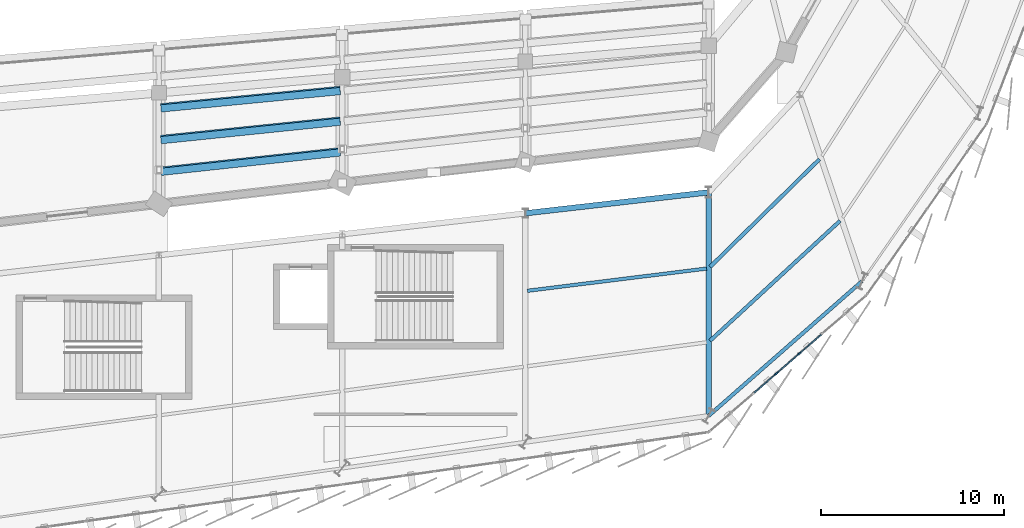
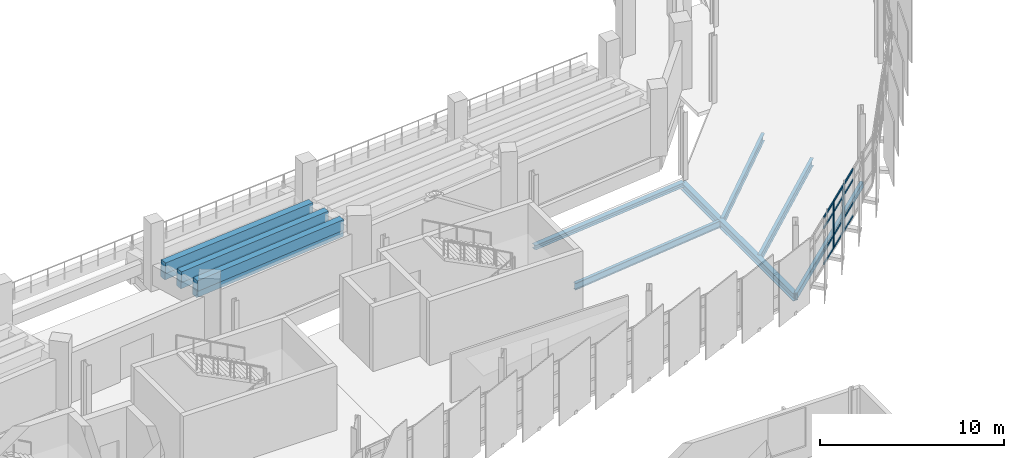
# One storey, part 59 of 120: 14 members, 12 beams, 1 element without a shape of its own.
"""IFC4 building model written with IfcOpenShell, lengths in metres."""

from ifc_helpers import new_model, si_unit, direction, frame, origin, origin_2d, place, context, subcontext, project, spatial, rectangle, hollow_rectangle, i_section, extrude, material, layer, layer_set, material_profile, profile_set, type_object, element, aggregate, save


model = new_model("IFC4")

# Units and contexts
model_context = context("Model", 3, precision=1e-05, world=origin(), true_north=direction((0.0, 1.0)))
body_context = subcontext(model_context, "Body", "Model", "MODEL_VIEW")
ifc_project = project(units=[si_unit("LENGTHUNIT", "METRE"), si_unit("AREAUNIT", "SQUARE_METRE"), si_unit("VOLUMEUNIT", "CUBIC_METRE"), si_unit("PLANEANGLEUNIT", "RADIAN"), si_unit("MASSUNIT", "GRAM", prefix="KILO")], contexts=[model_context])

# Site, building, storey
site_placement = place(None, origin())
site = spatial("IfcSite", under=ifc_project, at=site_placement, CompositionType="ELEMENT")
building_placement = place(site_placement, origin())
building = spatial("IfcBuilding", under=site, at=building_placement, Name="Sohan Crest Arena", CompositionType="ELEMENT")
storey_placement = place(building_placement, frame((0.0, 0.0, 13.5)))
storey = spatial("IfcBuildingStorey", under=building, at=storey_placement, Name="L03", CompositionType="ELEMENT", Elevation=13.5)

# Curtain wall, members
ifc_material_1 = material(Name="Thermally broken anodised aluminium", Category="aluminium")
ifc_layer = layer(ifc_material_1, 0.199951171875, Name="Thermally broken anodised aluminium")
ifc_layer_set = layer_set([ifc_layer], Name="Thermally broken anodised aluminium")
curtain_wall_type = type_object("IfcCurtainWallType", Name="ARC-CW02", PredefinedType="NOTDEFINED", material=ifc_layer_set)
curtain_wall_placement = place(storey_placement, origin())
curtain_wall = element("IfcCurtainWall", 1, at=curtain_wall_placement, inside=storey, type_object=curtain_wall_type, Name="Unitised curtain wall CW-097", PredefinedType="NOTDEFINED")
ifc_material_profile_1 = material_profile(ifc_material_1, rectangle(XDim=0.074951171875, YDim=0.219970703125, at=origin_2d()), Name="ALU-MULL 75x220")
ifc_profile_set_1 = profile_set([ifc_material_profile_1], Name="Thermally broken anodised aluminium")
member_type_1 = type_object("IfcMemberType", Name="ARC-CW-ML04", PredefinedType="MULLION", material=ifc_profile_set_1)
member_1_placement = place(storey_placement, frame((171.701904296875, 42.314208984375, 0.0), z_axis=(0.0, 0.0, 1.0), x_axis=(-0.655615836736, 0.755094613026, 0.0)))
member_1 = element("IfcMember", 2, at=member_1_placement, type_object=member_type_1, Name="CW-097 mullion 4", PredefinedType="MULLION", context=body_context, shape_type="SweptSolid", body=[
    extrude(rectangle(XDim=0.074951171875, YDim=0.219970703125, at=origin_2d()), origin(), (0.0, 0.0, 1.0), 3.1201171875),
])
member_2_placement = place(storey_placement, frame((172.93603515625, 43.3857421875, 0.0), z_axis=(0.0, 0.0, 1.0), x_axis=(-0.655615836736, 0.755094613026, 0.0)))
member_2 = element("IfcMember", 3, at=member_2_placement, type_object=member_type_1, Name="CW-097 mullion 5", PredefinedType="MULLION", context=body_context, shape_type="SweptSolid", body=[
    extrude(rectangle(XDim=0.074951171875, YDim=0.219970703125, at=origin_2d()), origin(), (0.0, 0.0, 1.0), 3.1201171875),
])
ifc_material_profile_2 = material_profile(ifc_material_1, rectangle(XDim=0.06494140625, YDim=0.139892578125, at=origin_2d()), Name="ALU-TRAN 65x140")
ifc_profile_set_2 = profile_set([ifc_material_profile_2], Name="Thermally broken anodised aluminium")
member_type_2 = type_object("IfcMemberType", Name="ARC-CW-TR02", PredefinedType="USERDEFINED", material=ifc_profile_set_2)
member_3_placement = place(storey_placement, frame((170.496337890625, 41.267333984375, 0.032470703125), z_axis=(0.754996400062, 0.655728934769, 0.0), x_axis=(-0.655728934769, 0.754996400062, 0.0)))
member_3 = element("IfcMember", 4, at=member_3_placement, type_object=member_type_2, Name="CW-097 transom 3.1", ObjectType="TRANSOM", PredefinedType="USERDEFINED", context=body_context, shape_type="SweptSolid", body=[
    extrude(rectangle(XDim=0.06494140625, YDim=0.139892578125, at=origin_2d()), origin(), (0.0, 0.0, 1.0), 1.559326171875),
])
member_4_placement = place(storey_placement, frame((170.496337890625, 41.267333984375, 0.89990234375), z_axis=(0.754996400062, 0.655728934769, 0.0), x_axis=(-0.655728934769, 0.754996400062, 0.0)))
member_4 = element("IfcMember", 5, at=member_4_placement, type_object=member_type_2, Name="CW-097 transom 3.2", ObjectType="TRANSOM", PredefinedType="USERDEFINED", context=body_context, shape_type="SweptSolid", body=[
    extrude(rectangle(XDim=0.06494140625, YDim=0.139892578125, at=origin_2d()), origin(), (0.0, 0.0, 1.0), 1.559326171875),
])
member_5_placement = place(storey_placement, frame((170.496337890625, 41.267333984375, 2.419921875), z_axis=(0.754996400062, 0.655728934769, 0.0), x_axis=(-0.655728934769, 0.754996400062, 0.0)))
member_5 = element("IfcMember", 6, at=member_5_placement, type_object=member_type_2, Name="CW-097 transom 3.3", ObjectType="TRANSOM", PredefinedType="USERDEFINED", context=body_context, shape_type="SweptSolid", body=[
    extrude(rectangle(XDim=0.06494140625, YDim=0.139892578125, at=origin_2d()), origin(), (0.0, 0.0, 1.0), 1.559326171875),
])
member_6_placement = place(storey_placement, frame((170.496337890625, 41.267333984375, 3.08740234375), z_axis=(0.754996400062, 0.655728934769, 0.0), x_axis=(-0.655728934769, 0.754996400062, 0.0)))
member_6 = element("IfcMember", 7, at=member_6_placement, type_object=member_type_2, Name="CW-097 transom 3.4", ObjectType="TRANSOM", PredefinedType="USERDEFINED", context=body_context, shape_type="SweptSolid", body=[
    extrude(rectangle(XDim=0.06494140625, YDim=0.139892578125, at=origin_2d()), origin(), (0.0, 0.0, 1.0), 1.559326171875),
])
member_7_placement = place(storey_placement, frame((171.730224609375, 42.3388671875, 0.032470703125), z_axis=(0.755141218047, 0.655562156326, 0.0), x_axis=(-0.655562156326, 0.755141218047, 0.0)))
member_7 = element("IfcMember", 8, at=member_7_placement, type_object=member_type_2, Name="CW-097 transom 4.1", ObjectType="TRANSOM", PredefinedType="USERDEFINED", context=body_context, shape_type="SweptSolid", body=[
    extrude(rectangle(XDim=0.06494140625, YDim=0.139892578125, at=origin_2d()), origin(), (0.0, 0.0, 1.0), 1.559326171875),
])
member_8_placement = place(storey_placement, frame((171.730224609375, 42.3388671875, 0.89990234375), z_axis=(0.755141218047, 0.655562156326, 0.0), x_axis=(-0.655562156326, 0.755141218047, 0.0)))
member_8 = element("IfcMember", 9, at=member_8_placement, type_object=member_type_2, Name="CW-097 transom 4.2", ObjectType="TRANSOM", PredefinedType="USERDEFINED", context=body_context, shape_type="SweptSolid", body=[
    extrude(rectangle(XDim=0.06494140625, YDim=0.139892578125, at=origin_2d()), origin(), (0.0, 0.0, 1.0), 1.559326171875),
])
member_9_placement = place(storey_placement, frame((171.730224609375, 42.3388671875, 2.419921875), z_axis=(0.755141218047, 0.655562156326, 0.0), x_axis=(-0.655562156326, 0.755141218047, 0.0)))
member_9 = element("IfcMember", 10, at=member_9_placement, type_object=member_type_2, Name="CW-097 transom 4.3", ObjectType="TRANSOM", PredefinedType="USERDEFINED", context=body_context, shape_type="SweptSolid", body=[
    extrude(rectangle(XDim=0.06494140625, YDim=0.139892578125, at=origin_2d()), origin(), (0.0, 0.0, 1.0), 1.559326171875),
])
member_10_placement = place(storey_placement, frame((171.730224609375, 42.3388671875, 3.08740234375), z_axis=(0.755141218047, 0.655562156326, 0.0), x_axis=(-0.655562156326, 0.755141218047, 0.0)))
member_10 = element("IfcMember", 11, at=member_10_placement, type_object=member_type_2, Name="CW-097 transom 4.4", ObjectType="TRANSOM", PredefinedType="USERDEFINED", context=body_context, shape_type="SweptSolid", body=[
    extrude(rectangle(XDim=0.06494140625, YDim=0.139892578125, at=origin_2d()), origin(), (0.0, 0.0, 1.0), 1.559326171875),
])
member_11_placement = place(storey_placement, frame((172.96435546875, 43.410400390625, 0.032470703125), z_axis=(0.75507391795, 0.655639671185, 0.0), x_axis=(-0.655639671185, 0.75507391795, 0.0)))
member_11 = element("IfcMember", 12, at=member_11_placement, type_object=member_type_2, Name="CW-097 transom 5.1", ObjectType="TRANSOM", PredefinedType="USERDEFINED", context=body_context, shape_type="SweptSolid", body=[
    extrude(rectangle(XDim=0.06494140625, YDim=0.139892578125, at=origin_2d()), origin(), (0.0, 0.0, 1.0), 1.55908203125),
])
member_12_placement = place(storey_placement, frame((172.96435546875, 43.410400390625, 0.89990234375), z_axis=(0.75507391795, 0.655639671185, 0.0), x_axis=(-0.655639671185, 0.75507391795, 0.0)))
member_12 = element("IfcMember", 13, at=member_12_placement, type_object=member_type_2, Name="CW-097 transom 5.2", ObjectType="TRANSOM", PredefinedType="USERDEFINED", context=body_context, shape_type="SweptSolid", body=[
    extrude(rectangle(XDim=0.06494140625, YDim=0.139892578125, at=origin_2d()), origin(), (0.0, 0.0, 1.0), 1.55908203125),
])
member_13_placement = place(storey_placement, frame((172.96435546875, 43.410400390625, 2.419921875), z_axis=(0.75507391795, 0.655639671185, 0.0), x_axis=(-0.655639671185, 0.75507391795, 0.0)))
member_13 = element("IfcMember", 14, at=member_13_placement, type_object=member_type_2, Name="CW-097 transom 5.3", ObjectType="TRANSOM", PredefinedType="USERDEFINED", context=body_context, shape_type="SweptSolid", body=[
    extrude(rectangle(XDim=0.06494140625, YDim=0.139892578125, at=origin_2d()), origin(), (0.0, 0.0, 1.0), 1.55908203125),
])
member_14_placement = place(storey_placement, frame((172.96435546875, 43.410400390625, 3.08740234375), z_axis=(0.75507391795, 0.655639671185, 0.0), x_axis=(-0.655639671185, 0.75507391795, 0.0)))
member_14 = element("IfcMember", 15, at=member_14_placement, type_object=member_type_2, Name="CW-097 transom 5.4", ObjectType="TRANSOM", PredefinedType="USERDEFINED", context=body_context, shape_type="SweptSolid", body=[
    extrude(rectangle(XDim=0.06494140625, YDim=0.139892578125, at=origin_2d()), origin(), (0.0, 0.0, 1.0), 1.55908203125),
])
aggregate(curtain_wall, [member_1, member_2, member_3, member_4, member_5, member_6, member_7, member_8, member_9, member_10, member_11, member_12, member_13, member_14])

# Beams
ifc_material_2 = material(Name="Steel S355", Category="steel")
ifc_material_profile_3 = material_profile(ifc_material_2, i_section(OverallWidth=0.18994140625, OverallDepth=0.449951171875, WebThickness=0.009521484375, FlangeThickness=0.0146484375, at=origin_2d()), Name="IPE 450")
ifc_profile_set_3 = profile_set([ifc_material_profile_3], Name="Steel S355")
beam_type_1 = type_object("IfcBeamType", Name="STR-BM-B04", PredefinedType="JOIST", material=ifc_profile_set_3)
beam_1_placement = place(storey_placement, frame((158.10888671875, 46.825927734375, -0.47509765625), z_axis=(0.992409914467, 0.122973825131, 0.0), x_axis=(-0.122973825131, 0.992409914467, 0.0)))
element("IfcBeam", 16, at=beam_1_placement, inside=storey, type_object=beam_type_1, Name="Structural beam J-L03-1478", PredefinedType="JOIST", context=body_context, shape_type="SweptSolid", body=[
    extrude(i_section(OverallWidth=0.18994140625, OverallDepth=0.449951171875, WebThickness=0.009521484375, FlangeThickness=0.0146484375, at=origin_2d()), origin(), (0.0, 0.0, 1.0), 9.85693359375),
])
ifc_material_profile_4 = material_profile(ifc_material_2, i_section(OverallWidth=0.199951171875, OverallDepth=0.5, WebThickness=0.01025390625, FlangeThickness=0.01611328125, at=origin_2d()), Name="IPE 500")
ifc_profile_set_4 = profile_set([ifc_material_profile_4], Name="Steel S355")
beam_type_2 = type_object("IfcBeamType", Name="STR-BM-B05", PredefinedType="JOIST", material=ifc_profile_set_4)
beam_2_placement = place(storey_placement, frame((168.077880859375, 48.12890625, -0.5), z_axis=(0.712580271708, 0.701590590283, 0.0), x_axis=(-0.701590590283, 0.712580271708, 0.0)))
element("IfcBeam", 17, at=beam_2_placement, inside=storey, type_object=beam_type_2, Name="Structural beam J-L03-1483", PredefinedType="JOIST", context=body_context, shape_type="SweptSolid", body=[
    extrude(i_section(OverallWidth=0.199951171875, OverallDepth=0.5, WebThickness=0.01025390625, FlangeThickness=0.01611328125, at=origin_2d()), origin(), (0.0, 0.0, 1.0), 8.375244140625),
])
beam_3_placement = place(storey_placement, frame((168.0810546875, 44.10107421875, -0.5), z_axis=(0.735036224245, 0.678027837959, 0.0), x_axis=(-0.678027837959, 0.735036224245, 0.0)))
element("IfcBeam", 18, at=beam_3_placement, inside=storey, type_object=beam_type_2, Name="Structural beam J-L03-1484", PredefinedType="JOIST", context=body_context, shape_type="SweptSolid", body=[
    extrude(i_section(OverallWidth=0.199951171875, OverallDepth=0.5, WebThickness=0.01025390625, FlangeThickness=0.01611328125, at=origin_2d()), origin(), (0.0, 0.0, 1.0), 9.648681640625),
])
ifc_material_profile_5 = material_profile(ifc_material_2, i_section(OverallWidth=0.300048828125, OverallDepth=0.300048828125, WebThickness=0.010986328125, FlangeThickness=0.01904296875, at=origin_2d()), Name="HEB 300")
ifc_profile_set_5 = profile_set([ifc_material_profile_5], Name="Steel S355")
beam_type_3 = type_object("IfcBeamType", Name="STR-BM-B12", PredefinedType="BEAM", material=ifc_profile_set_5)
beam_4_placement = place(storey_placement, frame((158.0, 51.056884765625, -0.39990234375), z_axis=(0.99353032697, 0.113567114035, 0.0), x_axis=(-0.113567114035, 0.99353032697, 0.0)))
element("IfcBeam", 19, at=beam_4_placement, inside=storey, type_object=beam_type_3, Name="Structural beam G-L03-1476", PredefinedType="BEAM", context=body_context, shape_type="SweptSolid", body=[
    extrude(i_section(OverallWidth=0.300048828125, OverallDepth=0.300048828125, WebThickness=0.010986328125, FlangeThickness=0.01904296875, at=origin_2d()), origin(), (0.0, 0.0, 1.0), 10.065185546875),
])
ifc_material_profile_6 = material_profile(ifc_material_2, i_section(OverallWidth=0.300048828125, OverallDepth=0.5, WebThickness=0.014404296875, FlangeThickness=0.028076171875, at=origin_2d()), Name="HEB 500")
ifc_profile_set_6 = profile_set([ifc_material_profile_6], Name="Steel S355")
beam_type_4 = type_object("IfcBeamType", Name="STR-BM-B14", PredefinedType="BEAM", material=ifc_profile_set_6)
beam_5_placement = place(storey_placement, frame((168.0, 52.199951171875, -0.5), z_axis=(0.0, -1.0, 0.0), x_axis=(1.0, 0.0, 0.0)))
element("IfcBeam", 20, at=beam_5_placement, inside=storey, type_object=beam_type_4, Name="Structural beam G-L03-1480", PredefinedType="BEAM", context=body_context, shape_type="SweptSolid", body=[
    extrude(i_section(OverallWidth=0.300048828125, OverallDepth=0.5, WebThickness=0.014404296875, FlangeThickness=0.028076171875, at=origin_2d()), origin(), (0.0, 0.0, 1.0), 12.199951171875),
])
ifc_material_profile_7 = material_profile(ifc_material_2, hollow_rectangle(XDim=0.199951171875, YDim=0.39990234375, WallThickness=0.012451171875, at=origin_2d()), Name="RHS 400x200x12.5")
ifc_profile_set_7 = profile_set([ifc_material_profile_7], Name="Steel S355")
beam_type_5 = type_object("IfcBeamType", Name="STR-BM-SP05", PredefinedType="SPANDREL", material=ifc_profile_set_7)
beam_6_placement = place(storey_placement, frame((168.0, 40.0, -0.449951171875), z_axis=(0.751695897988, 0.659509876308, 0.0), x_axis=(-0.659509876308, 0.751695897988, 0.0)))
element("IfcBeam", 21, at=beam_6_placement, inside=storey, type_object=beam_type_5, Name="Structural beam SP-L03-1482", PredefinedType="SPANDREL", context=body_context, shape_type="SweptSolid", body=[
    extrude(hollow_rectangle(XDim=0.199951171875, YDim=0.39990234375, WallThickness=0.012451171875, at=origin_2d()), origin(), (0.0, 0.0, 1.0), 11.152099609375),
])
ifc_material_3 = material(Name="Concrete C40/50", Category="concrete")
ifc_material_profile_8 = material_profile(ifc_material_3, rectangle(XDim=0.39990234375, YDim=0.699951171875, at=origin_2d()), Name="RC-BM 400x700")
ifc_profile_set_8 = profile_set([ifc_material_profile_8], Name="Concrete C40/50")
beam_type_6 = type_object("IfcBeamType", Name="STR-BM-TB01", PredefinedType="BEAM", material=ifc_profile_set_8)
beam_7_placement = place(storey_placement, frame((138.10888671875, 56.845947265625, 1.31591796875), z_axis=(0.995346555601, 0.096359920365, 0.0), x_axis=(-0.096359920365, 0.995346555601, 0.0)))
element("IfcBeam", 22, at=beam_7_placement, inside=storey, type_object=beam_type_6, Name="Upper tier rear stringer TSB-U137B", PredefinedType="BEAM", context=body_context, shape_type="SweptSolid", body=[
    extrude(rectangle(XDim=0.39990234375, YDim=0.699951171875, at=origin_2d()), origin(), (0.0, 0.0, 1.0), 9.827880859375),
])
beam_8_placement = place(storey_placement, frame((138.10888671875, 56.777099609375, 1.77587890625), z_axis=(0.995327475859, 0.096556800905, 0.0), x_axis=(-0.096556800905, 0.995327475859, 0.0)))
element("IfcBeam", 23, at=beam_8_placement, inside=storey, type_object=beam_type_6, Name="Upper tier front stringer TSB-U138A", PredefinedType="BEAM", context=body_context, shape_type="SweptSolid", body=[
    extrude(rectangle(XDim=0.39990234375, YDim=0.699951171875, at=origin_2d()), origin(), (0.0, 0.0, 1.0), 9.828125),
])
beam_9_placement = place(storey_placement, frame((138.10888671875, 55.114013671875, 1.77587890625), z_axis=(0.994765143876, 0.10218761436, 0.0), x_axis=(-0.10218761436, 0.994765143876, 0.0)))
element("IfcBeam", 24, at=beam_9_placement, inside=storey, type_object=beam_type_6, Name="Upper tier rear stringer TSB-U138B", PredefinedType="BEAM", context=body_context, shape_type="SweptSolid", body=[
    extrude(rectangle(XDim=0.39990234375, YDim=0.699951171875, at=origin_2d()), origin(), (0.0, 0.0, 1.0), 9.833740234375),
])
beam_10_placement = place(storey_placement, frame((138.10888671875, 55.044921875, 2.236083984375), z_axis=(0.994742406315, 0.102408715834, 0.0), x_axis=(-0.102408715834, 0.994742406315, 0.0)))
element("IfcBeam", 25, at=beam_10_placement, inside=storey, type_object=beam_type_6, Name="Upper tier front stringer TSB-U139A", PredefinedType="BEAM", context=body_context, shape_type="SweptSolid", body=[
    extrude(rectangle(XDim=0.39990234375, YDim=0.699951171875, at=origin_2d()), origin(), (0.0, 0.0, 1.0), 9.833984375),
])
beam_11_placement = place(storey_placement, frame((138.10888671875, 53.384033203125, 2.236083984375), z_axis=(0.994190266823, 0.107636951619, 0.0), x_axis=(-0.107636951619, 0.994190266823, 0.0)))
element("IfcBeam", 26, at=beam_11_placement, inside=storey, type_object=beam_type_6, Name="Upper tier rear stringer TSB-U139B", PredefinedType="BEAM", context=body_context, shape_type="SweptSolid", body=[
    extrude(rectangle(XDim=0.39990234375, YDim=0.699951171875, at=origin_2d()), origin(), (0.0, 0.0, 1.0), 9.83935546875),
])
beam_12_placement = place(storey_placement, frame((138.10888671875, 53.31494140625, 2.696044921875), z_axis=(0.99416900605, 0.107833146159, 0.0), x_axis=(-0.107833146159, 0.99416900605, 0.0)))
element("IfcBeam", 27, at=beam_12_placement, inside=storey, type_object=beam_type_6, Name="Upper tier front stringer TSB-U140A", PredefinedType="BEAM", context=body_context, shape_type="SweptSolid", body=[
    extrude(rectangle(XDim=0.39990234375, YDim=0.699951171875, at=origin_2d()), origin(), (0.0, 0.0, 1.0), 9.839599609375),
])

save(model, "model.ifc")
